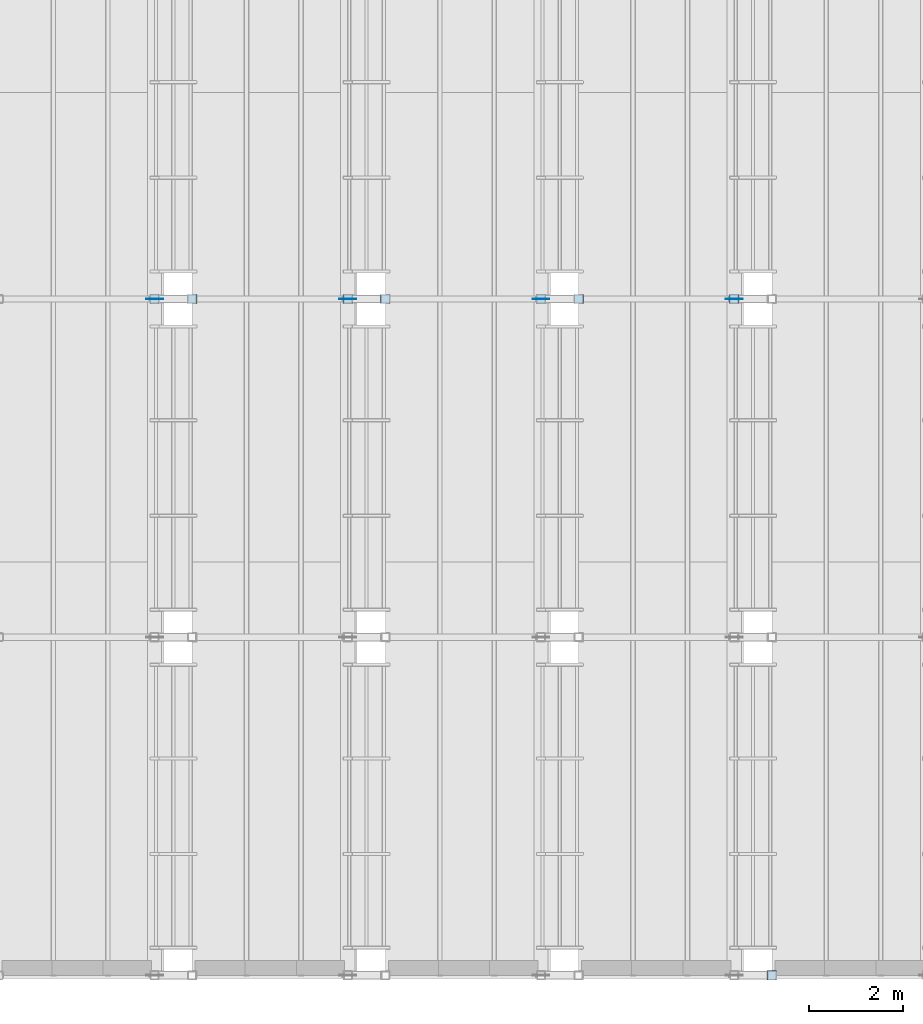
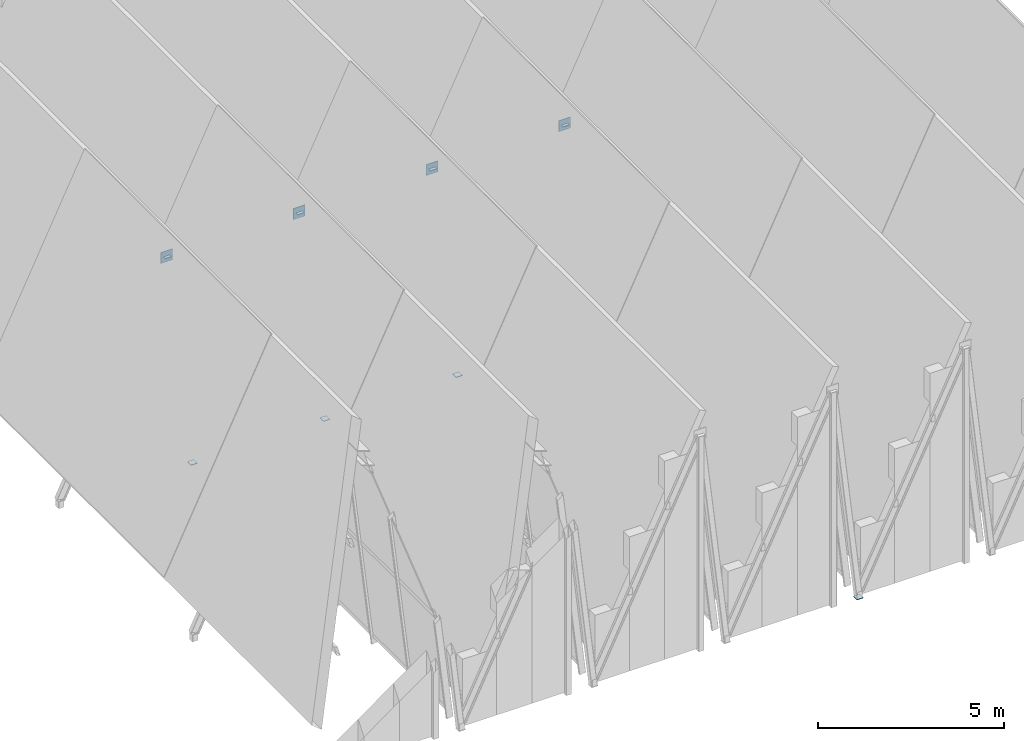
# One storey, part 20 of 28: 12 plates.
"""IFC4 building model written with IfcOpenShell, lengths in metres."""

from ifc_helpers import new_model, si_unit, direction, frame, origin, origin_2d, place, context, subcontext, project, spatial, rectangle, extrude, material, layer, layer_set, type_object, element, save


model = new_model("IFC4")

# Units and contexts
model_context = context("Model", 3, precision=1e-05, world=origin(), true_north=direction((0.0, 1.0)))
body_context = subcontext(model_context, "Body", "Model", "MODEL_VIEW")
ifc_project = project(units=[si_unit("LENGTHUNIT", "METRE"), si_unit("AREAUNIT", "SQUARE_METRE"), si_unit("VOLUMEUNIT", "CUBIC_METRE"), si_unit("PLANEANGLEUNIT", "RADIAN"), si_unit("MASSUNIT", "GRAM", prefix="KILO")], contexts=[model_context])

# Site, building, storey
site_placement = place(None, origin())
site = spatial("IfcSite", under=ifc_project, at=site_placement, CompositionType="ELEMENT")
building_placement = place(site_placement, origin())
building = spatial("IfcBuilding", under=site, at=building_placement, Name="Bramveld Media Centre", CompositionType="ELEMENT")
storey_placement = place(building_placement, frame((0.0, 0.0, 33.89990234375)))
storey = spatial("IfcBuildingStorey", under=building, at=storey_placement, Name="ROOF", CompositionType="ELEMENT", Elevation=33.89990234375)

# Plates
ifc_material_1 = material(Name="Steel S355J2", Category="steel")
ifc_layer_1 = layer(ifc_material_1, 0.013916015625)
ifc_layer_set_1 = layer_set([ifc_layer_1], Name="Steel S355J2")
plate_type_1 = type_object("IfcPlateType", Name="PLT-CAP-14", PredefinedType="USERDEFINED", material=ifc_layer_set_1)
for number, where, z_axis, x_axis, name in (
    (1, (134.513427734375, 97.60009765625, 6.99462890625), (0.0, 0.0, 1.0), (1.0, 0.0, 0.0), "Hollow section end cap plate CAP-CRN-FR-B01-F3"),
    (2, (135.315185546875, 97.60009765625, -0.0498046875), (0.0, 0.0, -1.0), (1.0, 0.0, 0.0), "Hollow section end cap plate CAP-CRN-FR-B01-F3-R"),
    (3, (138.627685546875, 97.60009765625, 6.99462890625), (0.0, 0.0, 1.0), (1.0, 0.0, 0.0), "Hollow section end cap plate CAP-CRN-FR-B02-F3"),
    (4, (139.429443359375, 97.60009765625, -0.0498046875), (0.0, 0.0, -1.0), (1.0, 0.0, 0.0), "Hollow section end cap plate CAP-CRN-FR-B02-F3-R"),
    (5, (142.7421875, 97.60009765625, 6.99462890625), (0.0, 0.0, 1.0), (1.0, 0.0, 0.0), "Hollow section end cap plate CAP-CRN-FR-B03-F3"),
    (6, (143.543701171875, 97.60009765625, -0.0498046875), (0.0, 0.0, -1.0), (1.0, 0.0, 0.0), "Hollow section end cap plate CAP-CRN-FR-B03-F3-R"),
    (7, (147.657958984375, 83.199951171875, -0.0498046875), (0.0, 0.0, -1.0), (1.0, 0.0, 0.0), "Hollow section end cap plate CAP-CRN-FR-B04-F1-R"),
    (8, (146.8564453125, 97.60009765625, 6.99462890625), (0.0, 0.0, 1.0), (1.0, 0.0, 0.0), "Hollow section end cap plate CAP-CRN-FR-B04-F3"),
):
    element("IfcPlate", number, at=place(storey_placement, frame(where, z_axis=z_axis, x_axis=x_axis)), inside=storey, type_object=plate_type_1, Name=name, ObjectType="CAP PLATE", PredefinedType="USERDEFINED", context=body_context, shape_type="SweptSolid", body=[
        extrude(rectangle(XDim=0.199951171875, YDim=0.199951171875, at=origin_2d()), origin(), (0.0, 0.0, 1.0), 0.013916015625),
    ])
ifc_material_2 = material(Name="Steel S355J2", Category="steel")
ifc_layer_2 = layer(ifc_material_2, 0.01611328125)
ifc_layer_set_2 = layer_set([ifc_layer_2], Name="Steel S355J2")
plate_type_2 = type_object("IfcPlateType", Name="PLT-GUSSET-CRN16", PredefinedType="USERDEFINED", material=ifc_layer_set_2)
for number, where, z_axis, x_axis, name in (
    (9, (134.514404296875, 97.60009765625, 6.81494140625), (0.0, 0.0, 1.0), (1.0, 0.0, 0.0), "CRN-FR-B01-F3 ridge gusset plate"),
    (10, (138.628662109375, 97.60009765625, 6.81494140625), (0.0, 0.0, 1.0), (1.0, 0.0, 0.0), "CRN-FR-B02-F3 ridge gusset plate"),
    (11, (142.742919921875, 97.60009765625, 6.81494140625), (0.0, 0.0, 1.0), (1.0, 0.0, 0.0), "CRN-FR-B03-F3 ridge gusset plate"),
    (12, (146.857177734375, 97.60009765625, 6.81494140625), (0.0, 0.0, 1.0), (1.0, 0.0, 0.0), "CRN-FR-B04-F3 ridge gusset plate"),
):
    element("IfcPlate", number, at=place(storey_placement, frame(where, z_axis=z_axis, x_axis=x_axis)), inside=storey, type_object=plate_type_2, Name=name, ObjectType="GUSSET PLATE", PredefinedType="USERDEFINED", context=body_context, shape_type="SweptSolid", body=[
        extrude(rectangle(XDim=0.360107421875, YDim=0.01611328125, at=origin_2d()), origin(), (0.0, 0.0, 1.0), 0.360107421875),
    ])

save(model, "model.ifc")
